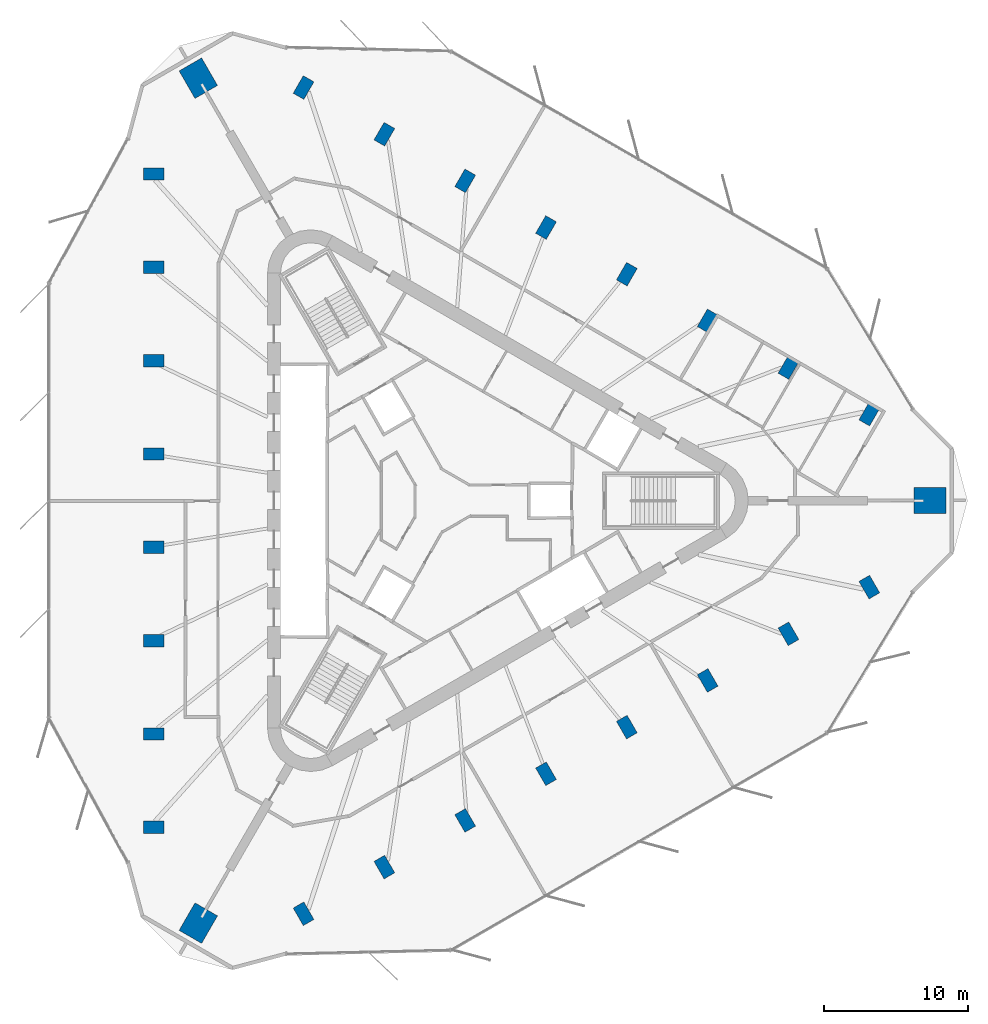
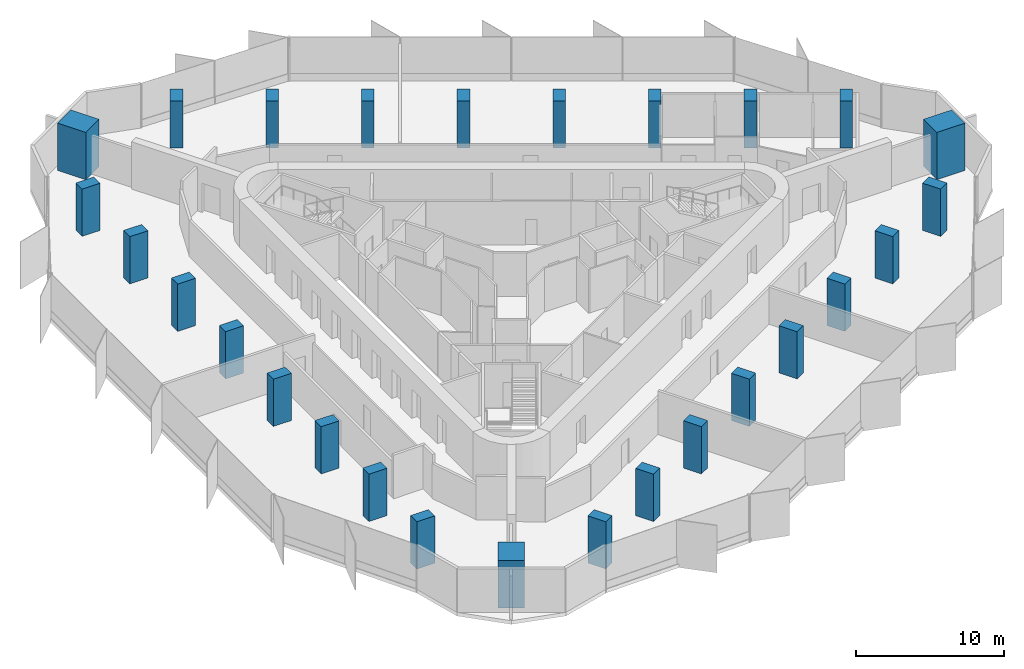
# One storey, part 1 of 12: 27 columns.
"""IFC4 building model written with IfcOpenShell, lengths in metres."""

from ifc_helpers import new_model, si_unit, direction, frame, origin, origin_2d, place, context, subcontext, project, spatial, rectangle, extrude, material, material_profile, profile_set, type_object, element, save


model = new_model("IFC4")

# Units and contexts
model_context = context("Model", 3, precision=1e-05, world=origin(), true_north=direction((0.0, 1.0)))
body_context = subcontext(model_context, "Body", "Model", "MODEL_VIEW")
ifc_project = project(units=[si_unit("LENGTHUNIT", "METRE"), si_unit("AREAUNIT", "SQUARE_METRE"), si_unit("VOLUMEUNIT", "CUBIC_METRE"), si_unit("PLANEANGLEUNIT", "RADIAN"), si_unit("MASSUNIT", "GRAM", prefix="KILO")], contexts=[model_context])

# Site, building, storey
site_placement = place(None, origin())
site = spatial("IfcSite", under=ifc_project, at=site_placement, CompositionType="ELEMENT")
building_placement = place(site_placement, origin())
building = spatial("IfcBuilding", under=site, at=building_placement, Name="Tanit Gate Tower", CompositionType="ELEMENT")
storey_placement = place(building_placement, frame((0.0, 0.0, 333.800048828125)))
storey = spatial("IfcBuildingStorey", under=building, at=storey_placement, Name="L75", CompositionType="ELEMENT", Elevation=333.800048828125)

# Columns
ifc_material_1 = material(Name="Concrete C50/60", Category="concrete")
ifc_material_profile_1 = material_profile(ifc_material_1, rectangle(XDim=2.199951171875, YDim=1.800048828125, at=origin_2d()), Name="RC 2200x1800")
ifc_profile_set_1 = profile_set([ifc_material_profile_1], Name="Concrete C50/60")
column_type_1 = type_object("IfcColumnType", Name="MEGA COLUMN 2200x1800 C50/60", PredefinedType="COLUMN", material=ifc_profile_set_1)
for number, where, z_axis, x_axis, name in (
    (1, (33.787109375, 0.0, 0.0), (0.0, 0.0, 1.0), (1.0, 0.0, 0.0), "MEGA COLUMN"),
    (2, (-16.8935546875, 29.260498046875, 0.0), (0.0, 0.0, 1.0), (-0.5, 0.866025403784, 0.0), "MEGA COLUMN"),
    (3, (-16.8935546875, -29.260498046875, 0.0), (0.0, 0.0, 1.0), (-0.5, -0.866025403784, 0.0), "MEGA COLUMN"),
):
    element("IfcColumn", number, at=place(storey_placement, frame(where, z_axis=z_axis, x_axis=x_axis)), inside=storey, type_object=column_type_1, Name=name, PredefinedType="COLUMN", context=body_context, shape_type="SweptSolid", body=[
        extrude(rectangle(XDim=2.199951171875, YDim=1.800048828125, at=origin_2d()), origin(), (0.0, 0.0, 1.0), 3.89990234375),
    ])
ifc_material_2 = material(Name="Concrete C40/50", Category="concrete")
ifc_material_profile_2 = material_profile(ifc_material_2, rectangle(XDim=1.39990234375, YDim=0.85009765625, at=origin_2d()), Name="RC 1400x850")
ifc_profile_set_2 = profile_set([ifc_material_profile_2], Name="Concrete C40/50")
column_type_2 = type_object("IfcColumnType", Name="PERIMETER COLUMN 1400x850 C40/50", PredefinedType="COLUMN", material=ifc_profile_set_2)
for number, where, z_axis, x_axis, name in (
    (4, (-19.977783203125, 22.62353515625, 0.0), (0.0, 0.0, 1.0), (-1.0, 0.0, 0.0), "PERIMETER COLUMN"),
    (5, (-19.977783203125, 16.15966796875, 0.0), (0.0, 0.0, 1.0), (-1.0, 0.0, 0.0), "PERIMETER COLUMN"),
    (6, (-19.977783203125, 9.69580078125, 0.0), (0.0, 0.0, 1.0), (-1.0, 0.0, 0.0), "PERIMETER COLUMN"),
    (7, (-19.977783203125, 3.23193359375, 0.0), (0.0, 0.0, 1.0), (-1.0, 0.0, 0.0), "PERIMETER COLUMN"),
    (8, (-19.977783203125, -3.23193359375, 0.0), (0.0, 0.0, 1.0), (-1.0, 0.0, 0.0), "PERIMETER COLUMN"),
    (9, (-19.977783203125, -9.69580078125, 0.0), (0.0, 0.0, 1.0), (-1.0, 0.0, 0.0), "PERIMETER COLUMN"),
    (10, (-19.977783203125, -16.15966796875, 0.0), (0.0, 0.0, 1.0), (-1.0, 0.0, 0.0), "PERIMETER COLUMN"),
    (11, (-19.977783203125, -22.62353515625, 0.0), (0.0, 0.0, 1.0), (-1.0, 0.0, 0.0), "PERIMETER COLUMN"),
    (12, (29.58154296875, 5.989501953125, 0.0), (0.0, 0.0, 1.0), (0.5, 0.866025403784, 0.0), "PERIMETER COLUMN"),
    (13, (23.983642578125, 9.22119140625, 0.0), (0.0, 0.0, 1.0), (0.5, 0.866025403784, 0.0), "PERIMETER COLUMN"),
    (14, (18.3857421875, 12.453369140625, 0.0), (0.0, 0.0, 1.0), (0.5, 0.866025403784, 0.0), "PERIMETER COLUMN"),
    (15, (12.787841796875, 15.685302734375, 0.0), (0.0, 0.0, 1.0), (0.5, 0.866025403784, 0.0), "PERIMETER COLUMN"),
    (16, (7.18994140625, 18.917236328125, 0.0), (0.0, 0.0, 1.0), (0.5, 0.866025403784, 0.0), "PERIMETER COLUMN"),
    (17, (1.592041015625, 22.149169921875, 0.0), (0.0, 0.0, 1.0), (0.5, 0.866025403784, 0.0), "PERIMETER COLUMN"),
    (18, (-4.005859375, 25.381103515625, 0.0), (0.0, 0.0, 1.0), (0.5, 0.866025403784, 0.0), "PERIMETER COLUMN"),
    (19, (-9.603759765625, 28.613037109375, 0.0), (0.0, 0.0, 1.0), (0.5, 0.866025403784, 0.0), "PERIMETER COLUMN"),
    (20, (-9.603759765625, -28.613037109375, 0.0), (0.0, 0.0, 1.0), (0.5, -0.866025403784, 0.0), "PERIMETER COLUMN"),
    (21, (-4.005859375, -25.381103515625, 0.0), (0.0, 0.0, 1.0), (0.5, -0.866025403784, 0.0), "PERIMETER COLUMN"),
    (22, (1.592041015625, -22.149169921875, 0.0), (0.0, 0.0, 1.0), (0.5, -0.866025403784, 0.0), "PERIMETER COLUMN"),
    (23, (7.18994140625, -18.917236328125, 0.0), (0.0, 0.0, 1.0), (0.5, -0.866025403784, 0.0), "PERIMETER COLUMN"),
    (24, (12.787841796875, -15.685302734375, 0.0), (0.0, 0.0, 1.0), (0.5, -0.866025403784, 0.0), "PERIMETER COLUMN"),
    (25, (18.3857421875, -12.453369140625, 0.0), (0.0, 0.0, 1.0), (0.5, -0.866025403784, 0.0), "PERIMETER COLUMN"),
    (26, (23.983642578125, -9.22119140625, 0.0), (0.0, 0.0, 1.0), (0.5, -0.866025403784, 0.0), "PERIMETER COLUMN"),
    (27, (29.58154296875, -5.989501953125, 0.0), (0.0, 0.0, 1.0), (0.5, -0.866025403784, 0.0), "PERIMETER COLUMN"),
):
    element("IfcColumn", number, at=place(storey_placement, frame(where, z_axis=z_axis, x_axis=x_axis)), inside=storey, type_object=column_type_2, Name=name, PredefinedType="COLUMN", context=body_context, shape_type="SweptSolid", body=[
        extrude(rectangle(XDim=1.39990234375, YDim=0.85009765625, at=origin_2d()), origin(), (0.0, 0.0, 1.0), 3.89990234375),
    ])

save(model, "model.ifc")
